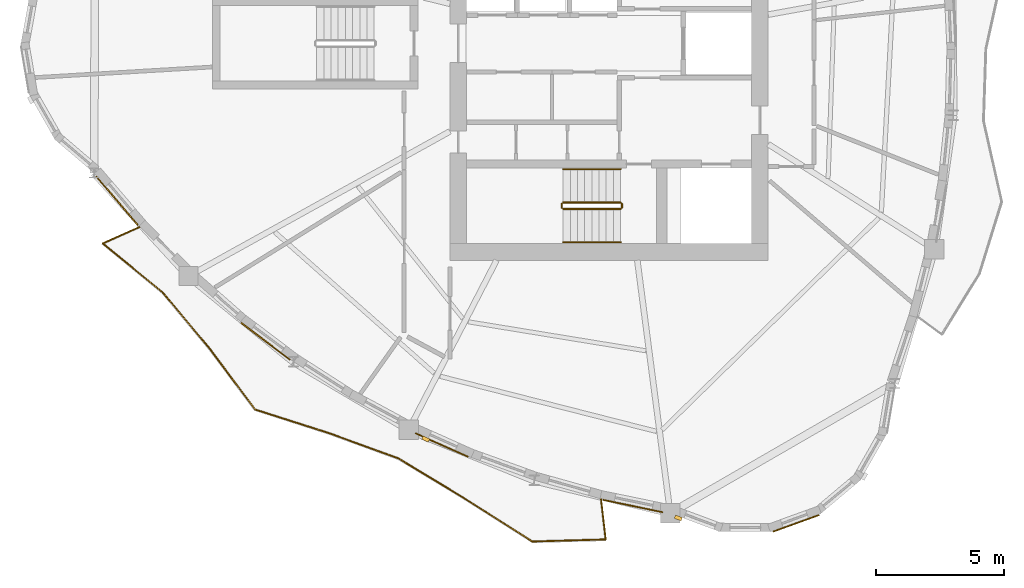
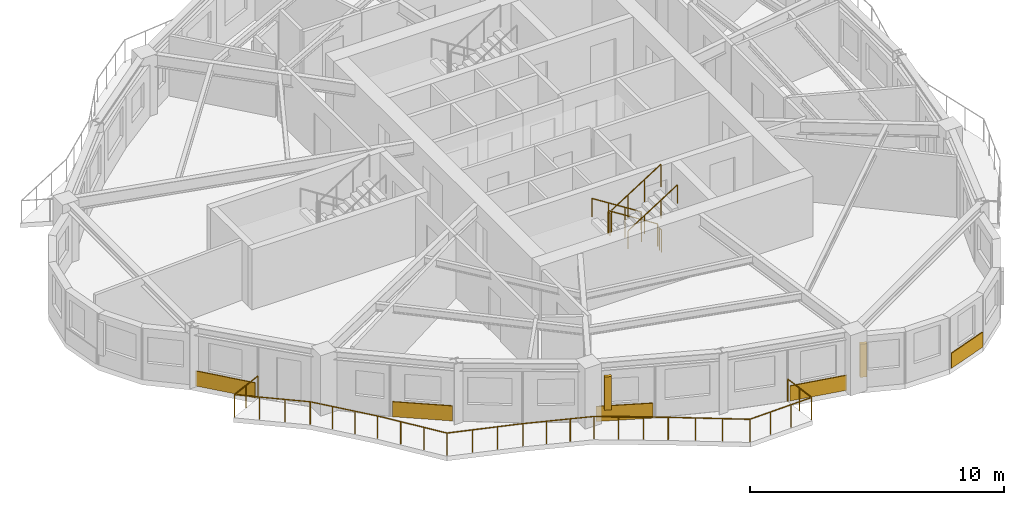
# One storey, part 9 of 12: 7 railings, 5 coverings, 2 shading devices.
"""IFC4 building model written with IfcOpenShell, lengths in metres."""

from ifc_helpers import new_model, si_unit, direction, frame, origin, origin_2d, place, context, subcontext, project, spatial, rectangle, circle, extrude, source, transform, mapped, material, layer, layer_set, type_object, element, save


model = new_model("IFC4")

# Units and contexts
model_context = context("Model", 3, precision=1e-05, world=origin(), true_north=direction((0.0, 1.0)))
body_context = subcontext(model_context, "Body", "Model", "MODEL_VIEW")
ifc_project = project(units=[si_unit("LENGTHUNIT", "METRE"), si_unit("AREAUNIT", "SQUARE_METRE"), si_unit("VOLUMEUNIT", "CUBIC_METRE"), si_unit("PLANEANGLEUNIT", "RADIAN"), si_unit("MASSUNIT", "GRAM", prefix="KILO")], contexts=[model_context])

# Site, building, storey
site_placement = place(None, origin())
site = spatial("IfcSite", under=ifc_project, at=site_placement, CompositionType="ELEMENT")
building_placement = place(site_placement, origin())
building = spatial("IfcBuilding", under=site, at=building_placement, Name="Qafzar Sky-Pleat Residences", CompositionType="ELEMENT")
storey_placement = place(building_placement, frame((0.0, 0.0, 187.39990234375)))
storey = spatial("IfcBuildingStorey", under=building, at=storey_placement, Name="L56", CompositionType="ELEMENT", Elevation=187.39990234375)

# Shading devices
ifc_material_1 = material(Name="Honed Riyadh limestone solar fin", Category="masonry")
ifc_layer_1 = layer(ifc_material_1, 0.139892578125)
ifc_layer_set_1 = layer_set([ifc_layer_1], Name="Honed Riyadh limestone solar fin")
shading_device_type = type_object("IfcShadingDeviceType", Name="SHD-FIN-STONE", PredefinedType="SHUTTER", material=ifc_layer_set_1)
shared_shape_1 = source(origin(), body_context, "Body", "SweptSolid", [
    extrude(rectangle(XDim=0.139892578125, YDim=0.280029296875, at=origin_2d()), origin(), (0.0, 0.0, 1.0), 1.60009765625),
])
for number, where, z_axis, x_axis, name in (
    (1, (23.208984375, 10.585693359375, 0.60009765625), (0.0, 0.0, 1.0), (-0.40756683729, -0.91317537918, 0.0), "L56 Limestone Solar Fin 13"),
    (2, (33.046630859375, 7.512451171875, 0.60009765625), (0.0, 0.0, 1.0), (-0.349602764616, -0.936898023785, 0.0), "L56 Limestone Solar Fin 17"),
):
    element("IfcShadingDevice", number, at=place(storey_placement, frame(where, z_axis=z_axis, x_axis=x_axis)), inside=storey, type_object=shading_device_type, Name=name, PredefinedType="SHUTTER", context=body_context, shape_type="MappedRepresentation", body=[
        mapped(shared_shape_1, transform((0.0, 0.0, 0.0), x_axis=(1.0, 0.0, 0.0), y_axis=(0.0, 1.0, 0.0), z_axis=(0.0, 0.0, 1.0), scale=1.0)),
    ])

# Covering
ifc_material_2 = material(Name="Honed Riyadh Tuwaiq limestone cladding", Category="masonry")
ifc_layer_2 = layer(ifc_material_2, 0.044921875)
ifc_layer_set_2 = layer_set([ifc_layer_2], Name="Honed Riyadh Tuwaiq limestone cladding")
covering_type = type_object("IfcCoveringType", Name="COV-CLAD-STONE", PredefinedType="CLADDING", material=ifc_layer_set_2)
shared_shape_2 = source(origin(), body_context, "Body", "SweptSolid", [
    extrude(rectangle(XDim=1.89794921875, YDim=0.044921875, at=origin_2d()), origin(), (0.0, 0.0, 1.0), 0.719970703125),
])
covering_1_placement = place(storey_placement, frame((37.634521484375, 7.30322265625, 0.02001953125), z_axis=(0.0, 0.0, 1.0), x_axis=(0.940231559433, 0.340535775867, 0.0)))
element("IfcCovering", 3, at=covering_1_placement, inside=storey, type_object=covering_type, Name="L56 Riyadh Limestone Spandrel Cladding 19", PredefinedType="CLADDING", context=body_context, shape_type="MappedRepresentation", body=[
    mapped(shared_shape_2, transform((0.0, 0.0, 0.0), x_axis=(1.0, 0.0, 0.0), y_axis=(0.0, 1.0, 0.0), z_axis=(0.0, 0.0, 1.0), scale=1.0)),
])

# Railing
ifc_material_3 = material(Name="Laminated glass and bronze steel balustrade", Category="steel")
railing_type_1 = type_object("IfcRailingType", Name="RAIL-BAL-1100", PredefinedType="BALUSTRADE", material=ifc_material_3)
shared_shape_3 = source(origin(), body_context, "Body", "SweptSolid", [
    extrude(circle(Radius=0.02392578125, at=origin_2d()), frame((0.0, 0.0, 1.076171875), z_axis=(-0.912389818341, -0.409322390527, 0.0), x_axis=(0.409322390527, -0.912389818341, 0.0)), (0.0, 0.0, 1.0), 1.578125),
    extrude(circle(Radius=0.02392578125, at=origin_2d()), frame((-1.43994140625, -0.64599609375, 1.076171875), z_axis=(0.774025555927, -0.633154356197, 0.0), x_axis=(0.633154356197, 0.774025555927, 0.0)), (0.0, 0.0, 1.0), 3.027587890625),
    extrude(circle(Radius=0.02392578125, at=origin_2d()), frame((0.903564453125, -2.56298828125, 1.076171875), z_axis=(0.640617922231, -0.767859803425, 0.0), x_axis=(0.767859803425, 0.640617922231, 0.0)), (0.0, 0.0, 1.0), 2.824462890625),
    extrude(circle(Radius=0.02392578125, at=origin_2d()), frame((2.712890625, -4.731689453125, 1.076171875), z_axis=(0.598725460263, -0.800954320316, 0.0), x_axis=(0.800954320316, 0.598725460263, 0.0)), (0.0, 0.0, 1.0), 2.974609375),
    extrude(circle(Radius=0.02392578125, at=origin_2d()), frame((4.493896484375, -7.1142578125, 1.076171875), z_axis=(0.952331377345, -0.305065481045, 0.0), x_axis=(0.305065481045, 0.952331377345, 0.0)), (0.0, 0.0, 1.0), 3.05712890625),
    extrude(circle(Radius=0.02392578125, at=origin_2d()), frame((7.4052734375, -8.046875, 1.076171875), z_axis=(0.939564713484, -0.342371361499, 0.0), x_axis=(0.342371361499, 0.939564713484, 0.0)), (0.0, 0.0, 1.0), 2.8388671875),
    extrude(circle(Radius=0.02392578125, at=origin_2d()), frame((10.072509765625, -9.018798828125, 1.076171875), z_axis=(0.856053996545, -0.516886404347, 0.0), x_axis=(0.516886404347, 0.856053996545, 0.0)), (0.0, 0.0, 1.0), 2.926025390625),
    extrude(circle(Radius=0.02392578125, at=origin_2d()), frame((12.577392578125, -10.53125, 1.076171875), z_axis=(0.84387400344, -0.536541392921, 0.0), x_axis=(0.536541392921, 0.84387400344, 0.0)), (0.0, 0.0, 1.0), 3.215576171875),
    extrude(circle(Radius=0.02392578125, at=origin_2d()), frame((15.291015625, -12.256591796875, 1.076171875), z_axis=(0.99959777978, 0.028359807117, 0.0), x_axis=(-0.028359807117, 0.99959777978, 0.0)), (0.0, 0.0, 1.0), 2.858154296875),
    extrude(circle(Radius=0.02392578125, at=origin_2d()), frame((18.14794921875, -12.175537109375, 1.076171875), z_axis=(-0.114030944588, 0.993477198368, 0.0), x_axis=(-0.993477198368, -0.114030944588, 0.0)), (0.0, 0.0, 1.0), 1.577880859375),
    extrude(circle(Radius=0.02099609375, at=origin_2d()), origin(), (0.0, 0.0, 1.0), 1.052001953125),
    extrude(circle(Radius=0.02099609375, at=origin_2d()), frame((-0.719970703125, -0.322998046875, 0.0)), (0.0, 0.0, 1.0), 1.052001953125),
    extrude(circle(Radius=0.02099609375, at=origin_2d()), frame((-1.43994140625, -0.64599609375, 0.0)), (0.0, 0.0, 1.0), 1.052001953125),
    extrude(circle(Radius=0.02099609375, at=origin_2d()), frame((-0.65869140625, -1.284912109375, 0.0)), (0.0, 0.0, 1.0), 1.052001953125),
    extrude(circle(Radius=0.02099609375, at=origin_2d()), frame((0.122314453125, -1.924072265625, 0.0)), (0.0, 0.0, 1.0), 1.052001953125),
    extrude(circle(Radius=0.02099609375, at=origin_2d()), frame((0.903564453125, -2.56298828125, 0.0)), (0.0, 0.0, 1.0), 1.052001953125),
    extrude(circle(Radius=0.02099609375, at=origin_2d()), frame((1.506591796875, -3.285888671875, 0.0)), (0.0, 0.0, 1.0), 1.052001953125),
    extrude(circle(Radius=0.02099609375, at=origin_2d()), frame((2.10986328125, -4.0087890625, 0.0)), (0.0, 0.0, 1.0), 1.052001953125),
    extrude(circle(Radius=0.02099609375, at=origin_2d()), frame((2.712890625, -4.731689453125, 0.0)), (0.0, 0.0, 1.0), 1.052001953125),
    extrude(circle(Radius=0.02099609375, at=origin_2d()), frame((3.306640625, -5.52587890625, 0.0)), (0.0, 0.0, 1.0), 1.052001953125),
    extrude(circle(Radius=0.02099609375, at=origin_2d()), frame((3.900146484375, -6.320068359375, 0.0)), (0.0, 0.0, 1.0), 1.052001953125),
    extrude(circle(Radius=0.02099609375, at=origin_2d()), frame((4.493896484375, -7.1142578125, 0.0)), (0.0, 0.0, 1.0), 1.052001953125),
    extrude(circle(Radius=0.02099609375, at=origin_2d()), frame((5.46435546875, -7.425048828125, 0.0)), (0.0, 0.0, 1.0), 1.052001953125),
    extrude(circle(Radius=0.02099609375, at=origin_2d()), frame((6.434814453125, -7.736083984375, 0.0)), (0.0, 0.0, 1.0), 1.052001953125),
    extrude(circle(Radius=0.02099609375, at=origin_2d()), frame((7.4052734375, -8.046875, 0.0)), (0.0, 0.0, 1.0), 1.052001953125),
    extrude(circle(Radius=0.02099609375, at=origin_2d()), frame((8.29443359375, -8.370849609375, 0.0)), (0.0, 0.0, 1.0), 1.052001953125),
    extrude(circle(Radius=0.02099609375, at=origin_2d()), frame((9.183349609375, -8.69482421875, 0.0)), (0.0, 0.0, 1.0), 1.052001953125),
    extrude(circle(Radius=0.02099609375, at=origin_2d()), frame((10.072509765625, -9.018798828125, 0.0)), (0.0, 0.0, 1.0), 1.052001953125),
    extrude(circle(Radius=0.02099609375, at=origin_2d()), frame((10.907470703125, -9.52294921875, 0.0)), (0.0, 0.0, 1.0), 1.052001953125),
    extrude(circle(Radius=0.02099609375, at=origin_2d()), frame((11.742431640625, -10.027099609375, 0.0)), (0.0, 0.0, 1.0), 1.052001953125),
    extrude(circle(Radius=0.02099609375, at=origin_2d()), frame((12.577392578125, -10.53125, 0.0)), (0.0, 0.0, 1.0), 1.052001953125),
    extrude(circle(Radius=0.02099609375, at=origin_2d()), frame((13.48193359375, -11.1064453125, 0.0)), (0.0, 0.0, 1.0), 1.052001953125),
    extrude(circle(Radius=0.02099609375, at=origin_2d()), frame((14.386474609375, -11.681396484375, 0.0)), (0.0, 0.0, 1.0), 1.052001953125),
    extrude(circle(Radius=0.02099609375, at=origin_2d()), frame((15.291015625, -12.256591796875, 0.0)), (0.0, 0.0, 1.0), 1.052001953125),
    extrude(circle(Radius=0.02099609375, at=origin_2d()), frame((16.243408203125, -12.2294921875, 0.0)), (0.0, 0.0, 1.0), 1.052001953125),
    extrude(circle(Radius=0.02099609375, at=origin_2d()), frame((17.195556640625, -12.20263671875, 0.0)), (0.0, 0.0, 1.0), 1.052001953125),
    extrude(circle(Radius=0.02099609375, at=origin_2d()), frame((18.14794921875, -12.175537109375, 0.0)), (0.0, 0.0, 1.0), 1.052001953125),
    extrude(circle(Radius=0.02099609375, at=origin_2d()), frame((18.05810546875, -11.3916015625, 0.0)), (0.0, 0.0, 1.0), 1.052001953125),
    extrude(circle(Radius=0.02099609375, at=origin_2d()), frame((17.968017578125, -10.60791015625, 0.0)), (0.0, 0.0, 1.0), 1.052001953125),
])
railing_1_placement = place(storey_placement, frame((12.06982421875, 18.851806640625, 0.0)))
element("IfcRailing", 4, at=railing_1_placement, inside=storey, type_object=railing_type_1, Name="L56 Pleated Balcony 3 Balustrade", PredefinedType="BALUSTRADE", context=body_context, shape_type="MappedRepresentation", body=[
    mapped(shared_shape_3, transform((0.0, 0.0, 0.0), x_axis=(1.0, 0.0, 0.0), y_axis=(0.0, 1.0, 0.0), z_axis=(0.0, 0.0, 1.0), scale=1.0)),
])

# Coverings
shared_shape_4 = source(origin(), body_context, "Body", "SweptSolid", [
    extrude(rectangle(XDim=2.49560546875, YDim=0.044921875, at=origin_2d()), origin(), (0.0, 0.0, 1.0), 0.719970703125),
])
covering_2_placement = place(storey_placement, frame((11.187255859375, 19.866943359375, 0.02001953125), z_axis=(0.0, 0.0, 1.0), x_axis=(0.650274414602, -0.75969940484, 0.0)))
element("IfcCovering", 5, at=covering_2_placement, inside=storey, type_object=covering_type, Name="L56 Riyadh Limestone Spandrel Cladding 7", PredefinedType="CLADDING", context=body_context, shape_type="MappedRepresentation", body=[
    mapped(shared_shape_4, transform((0.0, 0.0, 0.0), x_axis=(1.0, 0.0, 0.0), y_axis=(0.0, 1.0, 0.0), z_axis=(0.0, 0.0, 1.0), scale=1.0)),
])
shared_shape_5 = source(origin(), body_context, "Body", "SweptSolid", [
    extrude(rectangle(XDim=2.377197265625, YDim=0.044921875, at=origin_2d()), origin(), (0.0, 0.0, 1.0), 0.719970703125),
])
covering_3_placement = place(storey_placement, frame((16.9755859375, 14.392578125, 0.02001953125), z_axis=(0.0, 0.0, 1.0), x_axis=(0.797987489772, -0.602674013184, 0.0)))
element("IfcCovering", 6, at=covering_3_placement, inside=storey, type_object=covering_type, Name="L56 Riyadh Limestone Spandrel Cladding 10", PredefinedType="CLADDING", context=body_context, shape_type="MappedRepresentation", body=[
    mapped(shared_shape_5, transform((0.0, 0.0, 0.0), x_axis=(1.0, 0.0, 0.0), y_axis=(0.0, 1.0, 0.0), z_axis=(0.0, 0.0, 1.0), scale=1.0)),
])
shared_shape_6 = source(origin(), body_context, "Body", "SweptSolid", [
    extrude(rectangle(XDim=2.24658203125, YDim=0.044921875, at=origin_2d()), origin(), (0.0, 0.0, 1.0), 0.719970703125),
])
covering_4_placement = place(storey_placement, frame((23.8291015625, 10.35595703125, 0.02001953125), z_axis=(0.0, 0.0, 1.0), x_axis=(0.913164507785, -0.407591194363, 0.0)))
element("IfcCovering", 7, at=covering_4_placement, inside=storey, type_object=covering_type, Name="L56 Riyadh Limestone Spandrel Cladding 13", PredefinedType="CLADDING", context=body_context, shape_type="MappedRepresentation", body=[
    mapped(shared_shape_6, transform((0.0, 0.0, 0.0), x_axis=(1.0, 0.0, 0.0), y_axis=(0.0, 1.0, 0.0), z_axis=(0.0, 0.0, 1.0), scale=1.0)),
])
shared_shape_7 = source(origin(), body_context, "Body", "SweptSolid", [
    extrude(rectangle(XDim=2.36474609375, YDim=0.044921875, at=origin_2d()), origin(), (0.0, 0.0, 1.0), 0.719970703125),
])
covering_5_placement = place(storey_placement, frame((31.281494140625, 7.976318359375, 0.02001953125), z_axis=(0.0, 0.0, 1.0), x_axis=(0.979304659548, -0.202391659384, 0.0)))
element("IfcCovering", 8, at=covering_5_placement, inside=storey, type_object=covering_type, Name="L56 Riyadh Limestone Spandrel Cladding 16", PredefinedType="CLADDING", context=body_context, shape_type="MappedRepresentation", body=[
    mapped(shared_shape_7, transform((0.0, 0.0, 0.0), x_axis=(1.0, 0.0, 0.0), y_axis=(0.0, 1.0, 0.0), z_axis=(0.0, 0.0, 1.0), scale=1.0)),
])

# Railings
ifc_material_4 = material(Name="Painted Steel S355 stair guardrail", Category="steel")
railing_type_2 = type_object("IfcRailingType", Name="RAIL-STAIR-GUARD", PredefinedType="GUARDRAIL", material=ifc_material_4)
shared_shape_8 = source(origin(), body_context, "Body", "SweptSolid", [
    extrude(circle(Radius=0.02392578125, at=origin_2d()), frame((0.0, 0.0, 1.076171875), z_axis=(0.0, -1.0, 0.0), x_axis=(1.0, 0.0, 0.0)), (0.0, 0.0, 1.0), 0.14990234375),
    extrude(circle(Radius=0.02099609375, at=origin_2d()), origin(), (0.0, 0.0, 1.0), 1.052001953125),
    extrude(circle(Radius=0.02099609375, at=origin_2d()), frame((0.0, -0.14990234375, 0.0)), (0.0, 0.0, 1.0), 1.052001953125),
])
for number, where, name in (
    (9, (28.510009765625, 19.75, 1.60009765625), "L56 ST1 stair guard 2"),
    (10, (30.85009765625, 19.75, 0.0), "L56 ST1 stair guard 4"),
):
    element("IfcRailing", number, at=place(storey_placement, frame(where)), inside=storey, type_object=railing_type_2, Name=name, PredefinedType="GUARDRAIL", context=body_context, shape_type="MappedRepresentation", body=[
        mapped(shared_shape_8, transform((0.0, 0.0, 0.0), x_axis=(1.0, 0.0, 0.0), y_axis=(0.0, 1.0, 0.0), z_axis=(0.0, 0.0, 1.0), scale=1.0)),
    ])
shared_shape_9 = source(origin(), body_context, "Body", "SweptSolid", [
    extrude(circle(Radius=0.02392578125, at=origin_2d()), frame((0.0, 0.0, 1.076171875), z_axis=(-0.8442293374, 0.0, 0.53598211339), x_axis=(0.0, -1.0, 0.0)), (0.0, 0.0, 1.0), 2.6533203125),
    extrude(circle(Radius=0.02099609375, at=origin_2d()), origin(), (0.0, 0.0, 1.0), 1.052001953125),
    extrude(circle(Radius=0.02099609375, at=origin_2d()), frame((-0.74658203125, 0.0, 0.47412109375)), (0.0, 0.0, 1.0), 1.052001953125),
    extrude(circle(Radius=0.02099609375, at=origin_2d()), frame((-1.493408203125, 0.0, 0.947998046875)), (0.0, 0.0, 1.0), 1.052001953125),
    extrude(circle(Radius=0.02099609375, at=origin_2d()), frame((-2.239990234375, 0.0, 1.422119140625)), (0.0, 0.0, 1.0), 1.052001953125),
])
railing_2_placement = place(storey_placement, frame((30.800048828125, 19.800048828125, 0.177978515625)))
element("IfcRailing", 11, at=railing_2_placement, inside=storey, type_object=railing_type_2, Name="L56 ST1 stair guard 1", PredefinedType="GUARDRAIL", context=body_context, shape_type="MappedRepresentation", body=[
    mapped(shared_shape_9, transform((0.0, 0.0, 0.0), x_axis=(1.0, 0.0, 0.0), y_axis=(0.0, 1.0, 0.0), z_axis=(0.0, 0.0, 1.0), scale=1.0)),
])
ifc_material_5 = material(Name="Brushed stainless steel handrail", Category="steel")
railing_type_3 = type_object("IfcRailingType", Name="RAIL-STAIR-HAND", PredefinedType="HANDRAIL", material=ifc_material_5)
shared_shape_10 = source(origin(), body_context, "Body", "SweptSolid", [
    extrude(circle(Radius=0.02392578125, at=origin_2d()), frame((0.0, 0.0, 0.8759765625), z_axis=(-0.8442293374, 0.0, 0.53598211339), x_axis=(0.0, -1.0, 0.0)), (0.0, 0.0, 1.0), 2.6533203125),
    extrude(circle(Radius=0.02099609375, at=origin_2d()), origin(), (0.0, 0.0, 1.0), 0.851806640625),
    extrude(circle(Radius=0.02099609375, at=origin_2d()), frame((-0.74658203125, 0.0, 0.47412109375)), (0.0, 0.0, 1.0), 0.851806640625),
    extrude(circle(Radius=0.02099609375, at=origin_2d()), frame((-1.493408203125, 0.0, 0.947998046875)), (0.0, 0.0, 1.0), 0.851806640625),
    extrude(circle(Radius=0.02099609375, at=origin_2d()), frame((-2.239990234375, 0.0, 1.422119140625)), (0.0, 0.0, 1.0), 0.851806640625),
])
railing_3_placement = place(storey_placement, frame((30.800048828125, 21.10009765625, 0.177978515625)))
element("IfcRailing", 12, at=railing_3_placement, inside=storey, type_object=railing_type_3, Name="L56 ST1 stair handrail 1", PredefinedType="HANDRAIL", context=body_context, shape_type="MappedRepresentation", body=[
    mapped(shared_shape_10, transform((0.0, 0.0, 0.0), x_axis=(1.0, 0.0, 0.0), y_axis=(0.0, 1.0, 0.0), z_axis=(0.0, 0.0, 1.0), scale=1.0)),
])
shared_shape_11 = source(origin(), body_context, "Body", "SweptSolid", [
    extrude(circle(Radius=0.02392578125, at=origin_2d()), frame((0.0, 0.0, 1.076171875), z_axis=(0.84418770128, 0.0, 0.536047689118), x_axis=(0.0, 1.0, 0.0)), (0.0, 0.0, 1.0), 2.6533203125),
    extrude(circle(Radius=0.02099609375, at=origin_2d()), origin(), (0.0, 0.0, 1.0), 1.052001953125),
    extrude(circle(Radius=0.02099609375, at=origin_2d()), frame((0.74658203125, 0.0, 0.47412109375)), (0.0, 0.0, 1.0), 1.052001953125),
    extrude(circle(Radius=0.02099609375, at=origin_2d()), frame((1.493408203125, 0.0, 0.9482421875)), (0.0, 0.0, 1.0), 1.052001953125),
    extrude(circle(Radius=0.02099609375, at=origin_2d()), frame((2.239990234375, 0.0, 1.42236328125)), (0.0, 0.0, 1.0), 1.052001953125),
])
railing_4_placement = place(storey_placement, frame((28.56005859375, 19.550048828125, 1.77783203125)))
element("IfcRailing", 13, at=railing_4_placement, inside=storey, type_object=railing_type_2, Name="L56 ST1 stair guard 3", PredefinedType="GUARDRAIL", context=body_context, shape_type="MappedRepresentation", body=[
    mapped(shared_shape_11, transform((0.0, 0.0, 0.0), x_axis=(1.0, 0.0, 0.0), y_axis=(0.0, 1.0, 0.0), z_axis=(0.0, 0.0, 1.0), scale=1.0)),
])
shared_shape_12 = source(origin(), body_context, "Body", "SweptSolid", [
    extrude(circle(Radius=0.02392578125, at=origin_2d()), frame((0.0, 0.0, 0.8759765625), z_axis=(0.84418770128, 0.0, 0.536047689118), x_axis=(0.0, 1.0, 0.0)), (0.0, 0.0, 1.0), 2.6533203125),
    extrude(circle(Radius=0.02099609375, at=origin_2d()), origin(), (0.0, 0.0, 1.0), 0.851806640625),
    extrude(circle(Radius=0.02099609375, at=origin_2d()), frame((0.74658203125, 0.0, 0.47412109375)), (0.0, 0.0, 1.0), 0.851806640625),
    extrude(circle(Radius=0.02099609375, at=origin_2d()), frame((1.493408203125, 0.0, 0.9482421875)), (0.0, 0.0, 1.0), 0.851806640625),
    extrude(circle(Radius=0.02099609375, at=origin_2d()), frame((2.239990234375, 0.0, 1.42236328125)), (0.0, 0.0, 1.0), 0.851806640625),
])
railing_5_placement = place(storey_placement, frame((28.56005859375, 18.25, 1.77783203125)))
element("IfcRailing", 14, at=railing_5_placement, inside=storey, type_object=railing_type_3, Name="L56 ST1 stair handrail 2", PredefinedType="HANDRAIL", context=body_context, shape_type="MappedRepresentation", body=[
    mapped(shared_shape_12, transform((0.0, 0.0, 0.0), x_axis=(1.0, 0.0, 0.0), y_axis=(0.0, 1.0, 0.0), z_axis=(0.0, 0.0, 1.0), scale=1.0)),
])

save(model, "model.ifc")
